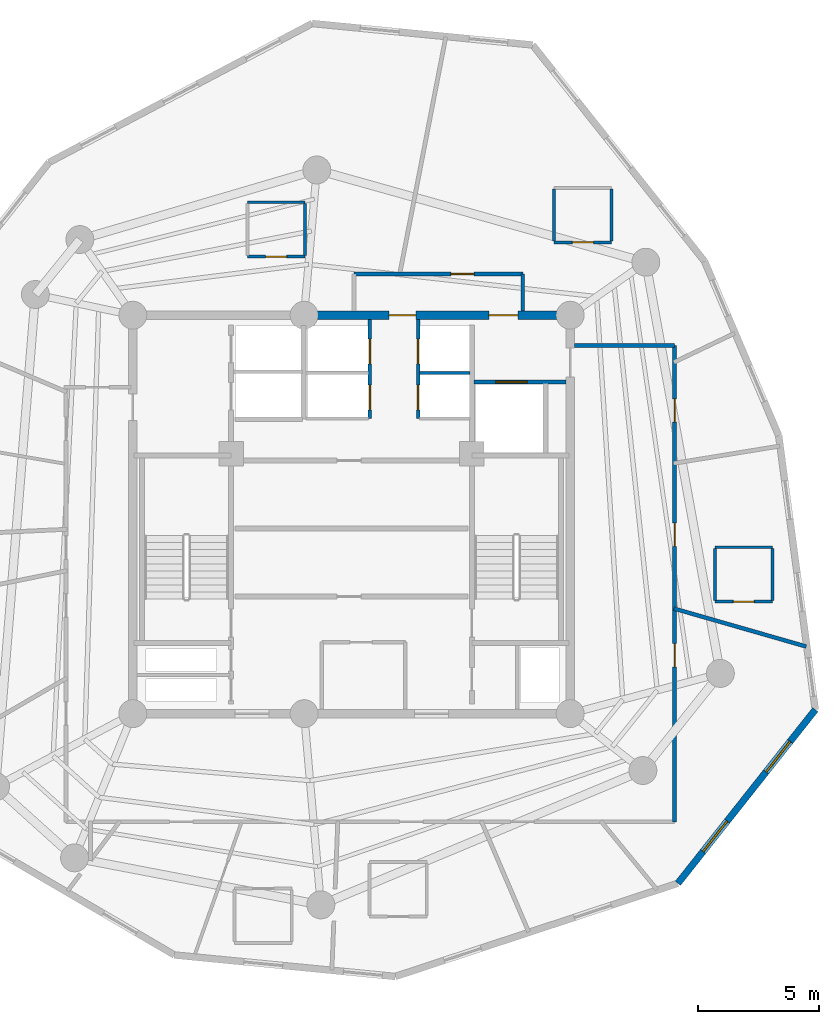
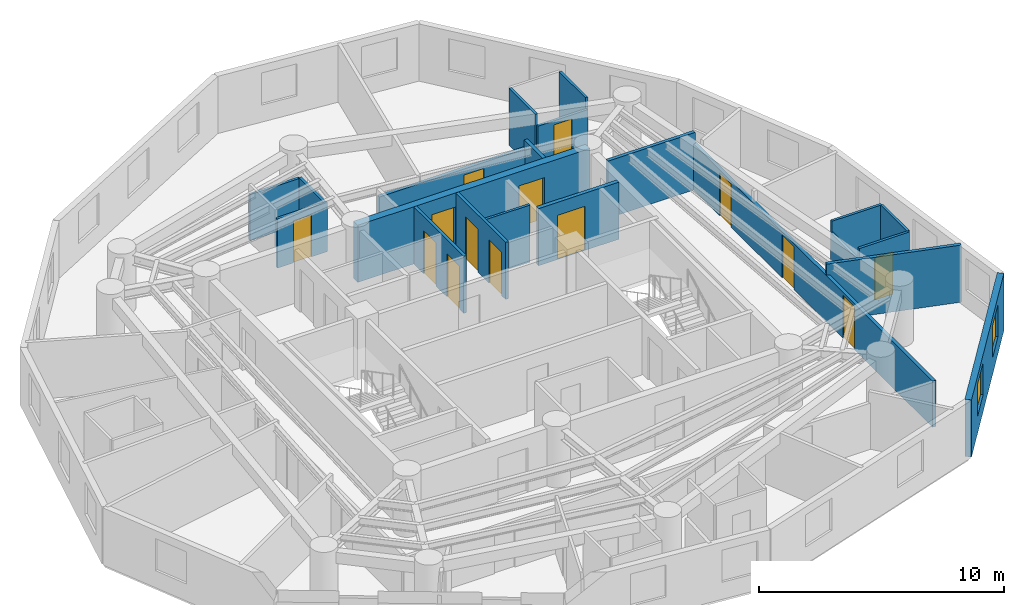
# One storey, part 5 of 7: 21 walls, 14 doors, 2 windows, 16 openings.
"""IFC4 building model written with IfcOpenShell, lengths in metres."""

import ifcopenshell
import ifcopenshell.guid

model = None  # the IFC model being written
_history = None  # IfcOwnerHistory: only IFC2X3 demands one
_inside = {}  # id of a spatial element -> (the spatial element, [elements in it])
_under = {}  # id of a project, library or spatial element -> (it, [spatial elements below it])
_declared = {}  # id of a project -> (the project, [libraries it declares])
_typed = {}  # id of a type object -> (the type object, [elements of that type])
_made_of = {}  # id of a material, layer set ... -> (it, [elements and type objects made of it])


def new_model(schema):
    """Start an empty IFC model of exactly this schema.

    Asked for "IFC4X3", IfcOpenShell would pick the latest addendum, in which some entities
    have other attributes; the version numbers below select the first issue.
    IFC2X3 requires an IfcOwnerHistory on every rooted entity: one is made here for all.
    """
    global model, _history
    if schema == "IFC4X3":
        model = ifcopenshell.file(schema_version=(4, 3, 0, 0))
    else:
        model = ifcopenshell.file(schema=schema)
    _inside.clear()
    _under.clear()
    _declared.clear()
    _typed.clear()
    _made_of.clear()
    _history = None
    if model.schema == "IFC2X3":
        org = make("IfcOrganization", Name="unknown")
        user = make(
            "IfcPersonAndOrganization",
            ThePerson=make("IfcPerson", FamilyName="unknown"),
            TheOrganization=org,
        )
        app = make(
            "IfcApplication",
            ApplicationDeveloper=org,
            Version="unknown",
            ApplicationFullName="unknown",
            ApplicationIdentifier="unknown",
        )
        _history = make(
            "IfcOwnerHistory",
            OwningUser=user,
            OwningApplication=app,
            ChangeAction="ADDED",
            CreationDate=0,
        )
    return model


def make(cls, **values):
    """One entity of the class cls with the attributes given. An attribute that is None is left unset."""
    return model.create_entity(
        cls, **{name: value for name, value in values.items() if value is not None}
    )


def rooted(cls, **values):
    """An entity with a GlobalId (a new one), such as an element, a storey or a relation."""
    return make(cls, GlobalId=ifcopenshell.guid.new(), OwnerHistory=_history, **values)


def si_unit(unit_type, name, prefix=None):
    """IfcSIUnit, for example si_unit("LENGTHUNIT", "METRE", prefix="MILLI")."""
    return make("IfcSIUnit", UnitType=unit_type, Prefix=prefix, Name=name)


def assignment(units):
    """IfcUnitAssignment: the units of a project."""
    return None if units is None else make("IfcUnitAssignment", Units=units)


def point(xyz):
    """IfcCartesianPoint."""
    return None if xyz is None else make("IfcCartesianPoint", Coordinates=xyz)


def direction(xyz):
    """IfcDirection."""
    return None if xyz is None else make("IfcDirection", DirectionRatios=xyz)


def frame(location, z_axis=None, x_axis=None):
    """IfcAxis2Placement3D, a coordinate frame: its origin and axes. An axis left out is left unset."""
    return make(
        "IfcAxis2Placement3D",
        Location=point(location),
        Axis=direction(z_axis),
        RefDirection=direction(x_axis),
    )


def frame_2d(location, x_axis=None):
    """IfcAxis2Placement2D, a coordinate frame in the plane: its origin and x axis."""
    return make(
        "IfcAxis2Placement2D", Location=point(location), RefDirection=direction(x_axis)
    )


def origin():
    """The frame at (0, 0, 0) with its axes left unset."""
    return frame((0.0, 0.0, 0.0))


def origin_with_axes():
    """The frame at (0, 0, 0) with the z axis (0, 0, 1) and the x axis (1, 0, 0) written out."""
    return frame((0.0, 0.0, 0.0), z_axis=(0.0, 0.0, 1.0), x_axis=(1.0, 0.0, 0.0))


def place(relative_to, where):
    """IfcLocalPlacement: puts the frame where relative to a parent placement (None: the world)."""
    return make(
        "IfcLocalPlacement", PlacementRelTo=relative_to, RelativePlacement=where
    )


def context(
    kind, dimensions, precision=None, world=None, true_north=None, identifier=None
):
    """IfcGeometricRepresentationContext, for example the 3D "Model" context."""
    return make(
        "IfcGeometricRepresentationContext",
        ContextIdentifier=identifier,
        ContextType=kind,
        CoordinateSpaceDimension=dimensions,
        Precision=precision,
        WorldCoordinateSystem=world,
        TrueNorth=true_north,
    )


def subcontext(parent, identifier, kind, view, scale=None):
    """IfcGeometricRepresentationSubContext, for example "Body" below "Model"."""
    return make(
        "IfcGeometricRepresentationSubContext",
        ContextIdentifier=identifier,
        ContextType=kind,
        ParentContext=parent,
        TargetScale=scale,
        TargetView=view,
    )


def project(units=None, contexts=None):
    """IfcProject with its units and contexts."""
    return rooted(
        "IfcProject",
        Name="project",
        RepresentationContexts=contexts,
        UnitsInContext=assignment(units),
    )


def spatial(cls, under=None, at=None, **own):
    """A site, building, storey or space (cls), placed at a placement, below another one or the project."""
    s = rooted(cls, ObjectPlacement=at, **own)
    if under is not None:
        _under.setdefault(under.id(), (under, []))[1].append(s)
    return s


def profile(cls, at=None, kind="AREA", **sizes):
    """A parametric profile (cls). Its sizes go by their IFC names, for example OverallWidth=200.0."""
    return make(cls, ProfileType=kind, Position=at, **sizes)


def rectangle(**sizes):
    """IfcRectangleProfileDef."""
    return profile("IfcRectangleProfileDef", **sizes)


def extrude(swept, where, along, depth):
    """IfcExtrudedAreaSolid: the profile swept, set in the frame where, extruded along a direction by depth."""
    return make(
        "IfcExtrudedAreaSolid",
        SweptArea=swept,
        Position=where,
        ExtrudedDirection=direction(along),
        Depth=depth,
    )


def shape(context_of_items, identifier, shape_type, items):
    """IfcShapeRepresentation: the items that make up one representation, for example the "Body"."""
    return make(
        "IfcShapeRepresentation",
        ContextOfItems=context_of_items,
        RepresentationIdentifier=identifier,
        RepresentationType=shape_type,
        Items=items,
    )


def source(mapping_origin, context_of_items, identifier, shape_type, items):
    """IfcRepresentationMap: a shape defined once, which mapped items show again and again."""
    return make(
        "IfcRepresentationMap",
        MappingOrigin=mapping_origin,
        MappedRepresentation=shape(context_of_items, identifier, shape_type, items),
    )


def transform(
    local_origin,
    x_axis=None,
    y_axis=None,
    z_axis=None,
    scale=None,
    scale2=None,
    scale3=None,
    uniform=True,
):
    """IfcCartesianTransformationOperator3D, or its non-uniform kind. x_axis, y_axis, z_axis: its Axis1, 2, 3."""
    if uniform:
        return make(
            "IfcCartesianTransformationOperator3D",
            Axis1=direction(x_axis),
            Axis2=direction(y_axis),
            LocalOrigin=point(local_origin),
            Scale=scale,
            Axis3=direction(z_axis),
        )
    return make(
        "IfcCartesianTransformationOperator3DnonUniform",
        Axis1=direction(x_axis),
        Axis2=direction(y_axis),
        LocalOrigin=point(local_origin),
        Scale=scale,
        Axis3=direction(z_axis),
        Scale2=scale2,
        Scale3=scale3,
    )


def mapped(mapping_source, mapping_target):
    """IfcMappedItem: shows the shape of a source again, moved by a transform."""
    return make(
        "IfcMappedItem", MappingSource=mapping_source, MappingTarget=mapping_target
    )


def material(Name=None, Category=None):
    """IfcMaterial."""
    return make("IfcMaterial", Name=Name, Category=Category)


def layer(
    of_material, thickness, ventilated=None, Name=None, Category=None, Priority=None
):
    """IfcMaterialLayer: one layer of a wall or slab, of a material (None: an air gap)."""
    return make(
        "IfcMaterialLayer",
        Material=of_material,
        LayerThickness=thickness,
        IsVentilated=ventilated,
        Name=Name,
        Category=Category,
        Priority=Priority,
    )


def layer_set(layers, Name=None):
    """IfcMaterialLayerSet."""
    return make("IfcMaterialLayerSet", MaterialLayers=layers, LayerSetName=Name)


def made_of(thing, what):
    """Note that an element or type object is made of a material, layer set ...; save() writes the relation."""
    if what is not None:
        _made_of.setdefault(what.id(), (what, []))[1].append(thing)
    return thing


def type_object(cls, material=None, **own):
    """A type object (cls), such as IfcWallType, which elements share."""
    return made_of(rooted(cls, **own), material)


def element(
    cls,
    number,
    at=None,
    inside=None,
    cuts=None,
    type_object=None,
    material=None,
    context=None,
    identifier="Body",
    shape_type=None,
    held_by="IfcProductDefinitionShape",
    body=None,
    shapes=None,
    **own,
):
    """One element of the class cls, such as IfcWall. Its Tag is "e" and its number.

    at: its placement. inside: the storey or other place that contains it. cuts: it is an
    opening in that element (IfcRelVoidsElement). A single representation is given by context,
    identifier, shape_type and body (its items); several are given by shapes. held_by: the class
    of the entity that holds the representations. save() writes the other relations.
    """
    e = rooted(cls, Tag="e%d" % number, ObjectPlacement=at, **own)
    if body is not None:
        shapes = [shape(context, identifier, shape_type, body)]
    if shapes is not None:
        e.Representation = make(held_by, Representations=shapes)
    if inside is not None:
        _inside.setdefault(inside.id(), (inside, []))[1].append(e)
    if cuts is not None:
        rooted(
            "IfcRelVoidsElement", RelatingBuildingElement=cuts, RelatedOpeningElement=e
        )
    if type_object is not None:
        _typed.setdefault(type_object.id(), (type_object, []))[1].append(e)
    return made_of(e, material)


def fill(opening, filler):
    """IfcRelFillsElement: the door or window that sits in an opening."""
    return rooted(
        "IfcRelFillsElement",
        RelatingOpeningElement=opening,
        RelatedBuildingElement=filler,
    )


def aggregate(whole, parts):
    """IfcRelAggregates: a whole, such as a stair, and the parts it consists of."""
    return rooted("IfcRelAggregates", RelatingObject=whole, RelatedObjects=parts)


def save(model, path):
    """Write the relations noted so far, then the file.

    IfcRelAggregates (storeys below a building ...), IfcRelContainedInSpatialStructure (elements
    in a storey), IfcRelDefinesByType, IfcRelAssociatesMaterial and IfcRelDeclares: one each for
    every whole, place, type object, material and project.
    """
    for whole, parts in _under.values():
        aggregate(whole, parts)
    for where, things in _inside.values():
        rooted(
            "IfcRelContainedInSpatialStructure",
            RelatedElements=things,
            RelatingStructure=where,
        )
    for kind, things in _typed.values():
        rooted("IfcRelDefinesByType", RelatedObjects=things, RelatingType=kind)
    for what, things in _made_of.values():
        rooted("IfcRelAssociatesMaterial", RelatedObjects=things, RelatingMaterial=what)
    for by, libraries in _declared.values():
        rooted("IfcRelDeclares", RelatingContext=by, RelatedDefinitions=libraries)
    model.write(path)


model = new_model("IFC4")

# Units and contexts
model_context = context("Model", 3, precision=1e-05, world=origin(), true_north=direction((0.0, 1.0)))
body_context = subcontext(model_context, "Body", "Model", "MODEL_VIEW")
ifc_project = project(units=[si_unit("LENGTHUNIT", "METRE"), si_unit("AREAUNIT", "SQUARE_METRE"), si_unit("VOLUMEUNIT", "CUBIC_METRE"), si_unit("PLANEANGLEUNIT", "RADIAN"), si_unit("MASSUNIT", "GRAM", prefix="KILO")], contexts=[model_context])

# Site, building, storey
site_placement = place(None, origin())
site = spatial("IfcSite", under=ifc_project, at=site_placement, CompositionType="ELEMENT")
building_placement = place(site_placement, origin())
building = spatial("IfcBuilding", under=site, at=building_placement, Name="Karkom Vertical University and Central Library", CompositionType="ELEMENT")
storey_placement = place(building_placement, frame((0.0, 0.0, 244.35009765625)))
storey = spatial("IfcBuildingStorey", under=building, at=storey_placement, Name="L72", CompositionType="ELEMENT", Elevation=244.35009765625)

# Wall, openings, windows
ifc_material_1 = material(Name="Brick-faced precast concrete C45/55", Category="masonry")
ifc_layer_1 = layer(ifc_material_1, 0.280029296875)
ifc_layer_set_1 = layer_set([ifc_layer_1], Name="Brick-faced precast concrete C45/55")
wall_type_1 = type_object("IfcWallType", Name="ENV-WL-BRK-280", PredefinedType="SOLIDWALL", material=ifc_layer_set_1)
wall_1_placement = place(storey_placement, frame((41.935302734375, 11.3154296875, 0.0), z_axis=(0.0, 0.0, 1.0), x_axis=(0.620565069768, 0.784154955468, 0.0)))
wall_1 = element("IfcWall", 1, at=wall_1_placement, inside=storey, type_object=wall_type_1, Name="Level 72 Brick-Faced Precast Facade Wall 05", PredefinedType="SOLIDWALL", context=body_context, shape_type="SweptSolid", body=[
    extrude(rectangle(XDim=9.116943359375, YDim=0.280029296875, at=frame_2d((4.55859375, 0.0))), origin(), (0.0, 0.0, 1.0), 2.849853515625),
])
opening_1_placement = place(wall_1_placement, frame((1.669189453125, 0.0, 0.85009765625)))
opening_1 = element("IfcOpeningElement", 2, at=opening_1_placement, cuts=wall_1, Name="Opening WN-10", PredefinedType="OPENING", context=body_context, shape_type="SweptSolid", body=[
    extrude(rectangle(XDim=1.60009765625, YDim=1.60009765625, at=frame_2d((0.800048828125, 0.800048828125))), frame((0.0, 0.14990234375, 0.0), z_axis=(0.0, -1.0, 0.0), x_axis=(1.0, 0.0, 0.0)), (0.0, 0.0, 1.0), 0.300048828125),
])
opening_2_placement = place(wall_1_placement, frame((5.847900390625, 0.0, 0.85009765625)))
opening_2 = element("IfcOpeningElement", 3, at=opening_2_placement, cuts=wall_1, Name="Opening WN-10", PredefinedType="OPENING", context=body_context, shape_type="SweptSolid", body=[
    extrude(rectangle(XDim=1.60009765625, YDim=1.60009765625, at=frame_2d((0.800048828125, 0.800048828125))), frame((0.0, 0.14990234375, 0.0), z_axis=(0.0, -1.0, 0.0), x_axis=(1.0, 0.0, 0.0)), (0.0, 0.0, 1.0), 0.300048828125),
])
ifc_material_2 = material(Name="Aluminium thermal-break frame with solar-control IGU", Category="aluminium")
window_type = type_object("IfcWindowType", Name="ENV-WIN-WN-10", PartitioningType="SINGLE_PANEL", PredefinedType="WINDOW", material=ifc_material_2)
shared_shape_1 = source(origin_with_axes(), body_context, "Body", "SweptSolid", [
    extrude(rectangle(XDim=1.60009765625, YDim=1.60009765625, at=frame_2d((0.800048828125, 0.800048828125))), frame((0.0, 0.030029296875, 0.0), z_axis=(0.0, -1.0, 0.0), x_axis=(1.0, 0.0, 0.0)), (0.0, 0.0, 1.0), 0.06005859375),
])
window_1_placement = place(opening_1_placement, origin())
window_1 = element("IfcWindow", 4, at=window_1_placement, inside=storey, type_object=window_type, Name="Level 72 Punched Window 5.1", OverallHeight=1.60009765625, OverallWidth=1.60009765625, PartitioningType="SINGLE_PANEL", PredefinedType="WINDOW", context=body_context, shape_type="MappedRepresentation", body=[
    mapped(shared_shape_1, transform((0.0, 0.0, 0.0), scale=1.0)),
])
fill(opening_1, window_1)
window_2_placement = place(opening_2_placement, origin())
window_2 = element("IfcWindow", 5, at=window_2_placement, inside=storey, type_object=window_type, Name="Level 72 Punched Window 5.2", OverallHeight=1.60009765625, OverallWidth=1.60009765625, PartitioningType="SINGLE_PANEL", PredefinedType="WINDOW", context=body_context, shape_type="MappedRepresentation", body=[
    mapped(shared_shape_1, transform((0.0, 0.0, 0.0), scale=1.0)),
])
fill(opening_2, window_2)

# Wall, openings, doors
ifc_material_3 = material(Name="Insulated metal-stud drywall 160mm", Category="gypsum")
ifc_layer_2 = layer(ifc_material_3, 0.159912109375)
ifc_layer_set_2 = layer_set([ifc_layer_2], Name="Insulated metal-stud drywall 160mm")
wall_type_2 = type_object("IfcWallType", Name="INT-WL-COR-160", PredefinedType="PARTITIONING", material=ifc_layer_set_2)
wall_2_placement = place(storey_placement, frame((41.800048828125, 33.449951171875, 0.0), z_axis=(0.0, 0.0, 1.0), x_axis=(0.0, -1.0, 0.0)))
wall_2 = element("IfcWall", 6, at=wall_2_placement, inside=storey, type_object=wall_type_2, Name="Level 72 Interior Partition Wall L72-CORW-CW-005", PredefinedType="PARTITIONING", context=body_context, shape_type="SweptSolid", body=[
    extrude(rectangle(XDim=19.599853515625, YDim=0.159912109375, at=frame_2d((9.7998046875, 0.0))), origin(), (0.0, 0.0, 1.0), 2.2998046875),
])
opening_3_placement = place(wall_2_placement, frame((7.30419921875, 0.0, 0.0)))
opening_3 = element("IfcOpeningElement", 7, at=opening_3_placement, cuts=wall_2, Name="Opening FD-RM2", PredefinedType="OPENING", context=body_context, shape_type="SweptSolid", body=[
    extrude(rectangle(XDim=0.9599609375, YDim=2.14990234375, at=frame_2d((0.47998046875, 1.074951171875))), frame((0.0, 0.08984375, 0.0), z_axis=(0.0, -1.0, 0.0), x_axis=(1.0, 0.0, 0.0)), (0.0, 0.0, 1.0), 0.179931640625),
])
opening_4_placement = place(wall_2_placement, frame((12.264892578125, 0.0, 0.0)))
opening_4 = element("IfcOpeningElement", 8, at=opening_4_placement, cuts=wall_2, Name="Opening FD-RM2", PredefinedType="OPENING", context=body_context, shape_type="SweptSolid", body=[
    extrude(rectangle(XDim=0.9599609375, YDim=2.14990234375, at=frame_2d((0.47998046875, 1.074951171875))), frame((0.0, 0.08984375, 0.0), z_axis=(0.0, -1.0, 0.0), x_axis=(1.0, 0.0, 0.0)), (0.0, 0.0, 1.0), 0.179931640625),
])
opening_5_placement = place(wall_2_placement, frame((2.19580078125, 0.0, 0.0)))
opening_5 = element("IfcOpeningElement", 9, at=opening_5_placement, cuts=wall_2, Name="Opening FD-RM2", PredefinedType="OPENING", context=body_context, shape_type="SweptSolid", body=[
    extrude(rectangle(XDim=0.9599609375, YDim=2.14990234375, at=frame_2d((0.47998046875, 1.074951171875))), frame((0.0, 0.08984375, 0.0), z_axis=(0.0, -1.0, 0.0), x_axis=(1.0, 0.0, 0.0)), (0.0, 0.0, 1.0), 0.179931640625),
])
ifc_material_4 = material(Name="Fire-rated oak veneer door", Category="wood")
door_type_1 = type_object("IfcDoorType", Name="INT-DR-FRM2", OperationType="NOTDEFINED", PredefinedType="DOOR", material=ifc_material_4)
shared_shape_2 = source(origin_with_axes(), body_context, "Body", "SweptSolid", [
    extrude(rectangle(XDim=0.9599609375, YDim=2.14990234375, at=frame_2d((0.47998046875, 1.074951171875))), frame((0.0, 0.02490234375, 0.0), z_axis=(0.0, -1.0, 0.0), x_axis=(1.0, 0.0, 0.0)), (0.0, 0.0, 1.0), 0.050048828125),
])
door_1_placement = place(opening_3_placement, origin())
door_1 = element("IfcDoor", 10, at=door_1_placement, inside=storey, type_object=door_type_1, Name="Level 72 Room Entry Door 414", OperationType="SINGLE_SWING_LEFT", OverallHeight=2.14990234375, OverallWidth=0.9599609375, PredefinedType="DOOR", context=body_context, shape_type="MappedRepresentation", body=[
    mapped(shared_shape_2, transform((0.0, 0.0, 0.0), scale=1.0)),
])
fill(opening_3, door_1)
door_2_placement = place(opening_4_placement, origin())
door_2 = element("IfcDoor", 11, at=door_2_placement, inside=storey, type_object=door_type_1, Name="Level 72 Room Entry Door 306", OperationType="SINGLE_SWING_LEFT", OverallHeight=2.14990234375, OverallWidth=0.9599609375, PredefinedType="DOOR", context=body_context, shape_type="MappedRepresentation", body=[
    mapped(shared_shape_2, transform((0.0, 0.0, 0.0), scale=1.0)),
])
fill(opening_4, door_2)
door_3_placement = place(opening_5_placement, origin())
door_3 = element("IfcDoor", 12, at=door_3_placement, inside=storey, type_object=door_type_1, Name="Level 72 Room Entry Door 308", OperationType="SINGLE_SWING_RIGHT", OverallHeight=2.14990234375, OverallWidth=0.9599609375, PredefinedType="DOOR", context=body_context, shape_type="MappedRepresentation", body=[
    mapped(shared_shape_2, transform((0.0, 0.0, 0.0), scale=1.0)),
])
fill(opening_5, door_3)

# Wall, opening, door
wall_3_placement = place(storey_placement, frame((28.60009765625, 36.39990234375, 0.0), z_axis=(0.0, 0.0, 1.0), x_axis=(1.0, 0.0, 0.0)))
wall_3 = element("IfcWall", 13, at=wall_3_placement, inside=storey, type_object=wall_type_2, Name="Level 72 Interior Partition Wall L72-CORW-CW-007", PredefinedType="PARTITIONING", context=body_context, shape_type="SweptSolid", body=[
    extrude(rectangle(XDim=6.949951171875, YDim=0.159912109375, at=frame_2d((3.47509765625, 0.0))), origin(), (0.0, 0.0, 1.0), 2.449951171875),
])
opening_6_placement = place(wall_3_placement, frame((3.990478515625, 0.0, 0.0)))
opening_6 = element("IfcOpeningElement", 14, at=opening_6_placement, cuts=wall_3, Name="Opening FD-RM2", PredefinedType="OPENING", context=body_context, shape_type="SweptSolid", body=[
    extrude(rectangle(XDim=0.9599609375, YDim=2.14990234375, at=frame_2d((0.47998046875, 1.074951171875))), frame((0.0, 0.08984375, 0.0), z_axis=(0.0, -1.0, 0.0), x_axis=(1.0, 0.0, 0.0)), (0.0, 0.0, 1.0), 0.179931640625),
])
door_4_placement = place(opening_6_placement, origin())
door_4 = element("IfcDoor", 15, at=door_4_placement, inside=storey, type_object=door_type_1, Name="Level 72 Room Entry Door 418", OperationType="SINGLE_SWING_LEFT", OverallHeight=2.14990234375, OverallWidth=0.9599609375, PredefinedType="DOOR", context=body_context, shape_type="MappedRepresentation", body=[
    mapped(shared_shape_2, transform((0.0, 0.0, 0.0), scale=1.0)),
])
fill(opening_6, door_4)

# Walls
wall_4_placement = place(storey_placement, frame((41.771240234375, 22.62646484375, 0.0), z_axis=(0.0, 0.0, 1.0), x_axis=(0.961148956517, -0.276030221872, 0.0)))
element("IfcWall", 16, at=wall_4_placement, inside=storey, type_object=wall_type_2, Name="Level 72 Interior Partition Wall L72-PW-011", PredefinedType="PARTITIONING", context=body_context, shape_type="SweptSolid", body=[
    extrude(rectangle(XDim=5.6640625, YDim=0.159912109375, at=frame_2d((2.83203125, 0.0))), origin(), (0.0, 0.0, 1.0), 2.849853515625),
])
wall_5_placement = place(storey_placement, frame((37.681884765625, 33.449951171875, 0.0), z_axis=(0.0, 0.0, 1.0), x_axis=(1.0, 0.0, 0.0)))
element("IfcWall", 17, at=wall_5_placement, inside=storey, type_object=wall_type_2, Name="Level 72 Interior Partition Wall L72-CORW-CW-004", PredefinedType="PARTITIONING", context=body_context, shape_type="SweptSolid", body=[
    extrude(rectangle(XDim=4.1181640625, YDim=0.159912109375, at=frame_2d((2.05908203125, 0.0))), origin(), (0.0, 0.0, 1.0), 2.849853515625),
])
wall_6_placement = place(storey_placement, frame((35.550048828125, 36.39990234375, 0.0), z_axis=(0.0, 0.0, 1.0), x_axis=(0.0, -1.0, 0.0)))
element("IfcWall", 18, at=wall_6_placement, inside=storey, type_object=wall_type_2, Name="Level 72 Interior Partition Wall L72-CORW-CW-008", PredefinedType="PARTITIONING", context=body_context, shape_type="SweptSolid", body=[
    extrude(rectangle(XDim=1.517822265625, YDim=0.159912109375, at=frame_2d((0.7587890625, 0.0))), origin(), (0.0, 0.0, 1.0), 2.849853515625),
])

# Wall, opening, door
ifc_material_5 = material(Name="Moisture-resistant drywall 120mm", Category="gypsum")
ifc_layer_3 = layer(ifc_material_5, 0.1201171875)
ifc_layer_set_3 = layer_set([ifc_layer_3], Name="Moisture-resistant drywall 120mm")
wall_type_3 = type_object("IfcWallType", Name="INT-WL-INT-120F", PredefinedType="PARTITIONING", material=ifc_layer_set_3)
wall_7_placement = place(storey_placement, frame((43.462890625, 22.908935546875, 0.0), z_axis=(0.0, 0.0, 1.0), x_axis=(1.0, 0.0, 0.0)))
wall_7 = element("IfcWall", 19, at=wall_7_placement, inside=storey, type_object=wall_type_3, Name="Level 72 Interior Partition Wall L72-ENS-47-S", PredefinedType="PARTITIONING", context=body_context, shape_type="SweptSolid", body=[
    extrude(rectangle(XDim=2.360107421875, YDim=0.1201171875, at=frame_2d((1.18017578125, 0.0))), origin(), (0.0, 0.0, 1.0), 2.849853515625),
])
opening_7_placement = place(wall_7_placement, frame((0.75, 0.0, 0.0)))
opening_7 = element("IfcOpeningElement", 20, at=opening_7_placement, cuts=wall_7, Name="Opening D-BATH", PredefinedType="OPENING", context=body_context, shape_type="SweptSolid", body=[
    extrude(rectangle(XDim=0.860107421875, YDim=2.10009765625, at=frame_2d((0.43017578125, 1.050048828125))), frame((0.0, 0.070068359375, 0.0), z_axis=(0.0, -1.0, 0.0), x_axis=(1.0, 0.0, 0.0)), (0.0, 0.0, 1.0), 0.14013671875),
])
ifc_material_6 = material(Name="Moisture-resistant oak door", Category="wood")
door_type_2 = type_object("IfcDoorType", Name="INT-DR-BATH", OperationType="NOTDEFINED", PredefinedType="DOOR", material=ifc_material_6)
shared_shape_3 = source(origin_with_axes(), body_context, "Body", "SweptSolid", [
    extrude(rectangle(XDim=0.860107421875, YDim=2.10009765625, at=frame_2d((0.43017578125, 1.050048828125))), frame((0.0, 0.02490234375, 0.0), z_axis=(0.0, -1.0, 0.0), x_axis=(1.0, 0.0, 0.0)), (0.0, 0.0, 1.0), 0.050048828125),
])
door_5_placement = place(opening_7_placement, origin())
door_5 = element("IfcDoor", 21, at=door_5_placement, inside=storey, type_object=door_type_2, Name="Level 72 En-Suite Bathroom Door 47", OperationType="SINGLE_SWING_RIGHT", OverallHeight=2.10009765625, OverallWidth=0.860107421875, PredefinedType="DOOR", context=body_context, shape_type="MappedRepresentation", body=[
    mapped(shared_shape_3, transform((0.0, 0.0, 0.0), scale=1.0)),
])
fill(opening_7, door_5)

# Wall
wall_8_placement = place(storey_placement, frame((45.822998046875, 25.14892578125, 0.0), z_axis=(0.0, 0.0, 1.0), x_axis=(-1.0, 0.0, 0.0)))
element("IfcWall", 22, at=wall_8_placement, inside=storey, type_object=wall_type_3, Name="Level 72 Interior Partition Wall L72-ENS-47-N", PredefinedType="PARTITIONING", context=body_context, shape_type="SweptSolid", body=[
    extrude(rectangle(XDim=2.360107421875, YDim=0.1201171875, at=frame_2d((1.18017578125, 0.0))), origin(), (0.0, 0.0, 1.0), 2.849853515625),
])

# Wall, opening, door
wall_9_placement = place(storey_placement, frame((36.841064453125, 37.698974609375, 0.0), z_axis=(0.0, 0.0, 1.0), x_axis=(1.0, 0.0, 0.0)))
wall_9 = element("IfcWall", 23, at=wall_9_placement, inside=storey, type_object=wall_type_3, Name="Level 72 Interior Partition Wall L72-ENS-49-S", PredefinedType="PARTITIONING", context=body_context, shape_type="SweptSolid", body=[
    extrude(rectangle(XDim=2.35986328125, YDim=0.1201171875, at=frame_2d((1.179931640625, 0.0))), origin(), (0.0, 0.0, 1.0), 2.2998046875),
])
opening_8_placement = place(wall_9_placement, frame((0.75, 0.0, 0.0)))
opening_8 = element("IfcOpeningElement", 24, at=opening_8_placement, cuts=wall_9, Name="Opening D-BATH", PredefinedType="OPENING", context=body_context, shape_type="SweptSolid", body=[
    extrude(rectangle(XDim=0.860107421875, YDim=2.10009765625, at=frame_2d((0.43017578125, 1.050048828125))), frame((0.0, 0.070068359375, 0.0), z_axis=(0.0, -1.0, 0.0), x_axis=(1.0, 0.0, 0.0)), (0.0, 0.0, 1.0), 0.14013671875),
])
door_6_placement = place(opening_8_placement, origin())
door_6 = element("IfcDoor", 25, at=door_6_placement, inside=storey, type_object=door_type_2, Name="Level 72 En-Suite Bathroom Door 49", OperationType="SINGLE_SWING_RIGHT", OverallHeight=2.10009765625, OverallWidth=0.860107421875, PredefinedType="DOOR", context=body_context, shape_type="MappedRepresentation", body=[
    mapped(shared_shape_3, transform((0.0, 0.0, 0.0), scale=1.0)),
])
fill(opening_8, door_6)

wall_10_placement = place(storey_placement, frame((24.220947265625, 37.10791015625, 0.0), z_axis=(0.0, 0.0, 1.0), x_axis=(1.0, 0.0, 0.0)))
wall_10 = element("IfcWall", 26, at=wall_10_placement, inside=storey, type_object=wall_type_3, Name="Level 72 Interior Partition Wall L72-ENS-50-S", PredefinedType="PARTITIONING", context=body_context, shape_type="SweptSolid", body=[
    extrude(rectangle(XDim=2.360107421875, YDim=0.1201171875, at=frame_2d((1.18017578125, 0.0))), origin(), (0.0, 0.0, 1.0), 2.449951171875),
])
opening_9_placement = place(wall_10_placement, frame((0.75, 0.0, 0.0)))
opening_9 = element("IfcOpeningElement", 27, at=opening_9_placement, cuts=wall_10, Name="Opening D-BATH", PredefinedType="OPENING", context=body_context, shape_type="SweptSolid", body=[
    extrude(rectangle(XDim=0.860107421875, YDim=2.10009765625, at=frame_2d((0.43017578125, 1.050048828125))), frame((0.0, 0.070068359375, 0.0), z_axis=(0.0, -1.0, 0.0), x_axis=(1.0, 0.0, 0.0)), (0.0, 0.0, 1.0), 0.14013671875),
])
door_7_placement = place(opening_9_placement, origin())
door_7 = element("IfcDoor", 28, at=door_7_placement, inside=storey, type_object=door_type_2, Name="Level 72 En-Suite Bathroom Door 50", OperationType="SINGLE_SWING_RIGHT", OverallHeight=2.10009765625, OverallWidth=0.860107421875, PredefinedType="DOOR", context=body_context, shape_type="MappedRepresentation", body=[
    mapped(shared_shape_3, transform((0.0, 0.0, 0.0), scale=1.0)),
])
fill(opening_9, door_7)

# Walls
wall_11_placement = place(storey_placement, frame((26.5810546875, 39.347900390625, 0.0), z_axis=(0.0, 0.0, 1.0), x_axis=(-1.0, 0.0, 0.0)))
element("IfcWall", 29, at=wall_11_placement, inside=storey, type_object=wall_type_3, Name="Level 72 Interior Partition Wall L72-ENS-50-N", PredefinedType="PARTITIONING", context=body_context, shape_type="SweptSolid", body=[
    extrude(rectangle(XDim=2.360107421875, YDim=0.1201171875, at=frame_2d((1.18017578125, 0.0))), origin(), (0.0, 0.0, 1.0), 2.2998046875),
])
wall_12_placement = place(storey_placement, frame((45.822998046875, 22.958984375, 0.0), z_axis=(0.0, 0.0, 1.0), x_axis=(0.0, 1.0, 0.0)))
element("IfcWall", 30, at=wall_12_placement, inside=storey, type_object=wall_type_3, Name="Level 72 Interior Partition Wall L72-ENS-47-E", PredefinedType="PARTITIONING", context=body_context, shape_type="SweptSolid", body=[
    extrude(rectangle(XDim=2.14013671875, YDim=0.1201171875, at=frame_2d((1.070068359375, 0.0))), origin(), (0.0, 0.0, 1.0), 2.849853515625),
])
wall_13_placement = place(storey_placement, frame((43.462890625, 25.09912109375, 0.0), z_axis=(0.0, 0.0, 1.0), x_axis=(0.0, -1.0, 0.0)))
element("IfcWall", 31, at=wall_13_placement, inside=storey, type_object=wall_type_3, Name="Level 72 Interior Partition Wall L72-ENS-47-W", PredefinedType="PARTITIONING", context=body_context, shape_type="SweptSolid", body=[
    extrude(rectangle(XDim=2.14013671875, YDim=0.1201171875, at=frame_2d((1.070068359375, 0.0))), origin(), (0.0, 0.0, 1.0), 2.2998046875),
])
for number, where, z_axis, x_axis, name in (
    (32, (39.200927734375, 37.7490234375, 0.0), (0.0, 0.0, 1.0), (0.0, 1.0, 0.0), "Level 72 Interior Partition Wall L72-ENS-49-E"),
    (33, (36.841064453125, 39.888916015625, 0.0), (0.0, 0.0, 1.0), (0.0, -1.0, 0.0), "Level 72 Interior Partition Wall L72-ENS-49-W"),
):
    element("IfcWall", number, at=place(storey_placement, frame(where, z_axis=z_axis, x_axis=x_axis)), inside=storey, type_object=wall_type_3, Name=name, PredefinedType="PARTITIONING", context=body_context, shape_type="SweptSolid", body=[
        extrude(rectangle(XDim=2.139892578125, YDim=0.1201171875, at=frame_2d((1.06982421875, 0.0))), origin(), (0.0, 0.0, 1.0), 2.849853515625),
    ])
wall_14_placement = place(storey_placement, frame((26.5810546875, 37.157958984375, 0.0), z_axis=(0.0, 0.0, 1.0), x_axis=(0.0, 1.0, 0.0)))
element("IfcWall", 34, at=wall_14_placement, inside=storey, type_object=wall_type_3, Name="Level 72 Interior Partition Wall L72-ENS-50-E", PredefinedType="PARTITIONING", context=body_context, shape_type="SweptSolid", body=[
    extrude(rectangle(XDim=2.14013671875, YDim=0.1201171875, at=frame_2d((1.070068359375, 0.0))), origin(), (0.0, 0.0, 1.0), 2.349853515625),
])
ifc_layer_4 = layer(ifc_material_5, 0.1201171875)
ifc_layer_set_4 = layer_set([ifc_layer_4], Name="Moisture-resistant drywall 120mm")
wall_type_4 = type_object("IfcWallType", Name="INT-WL-INT-120H", PredefinedType="PARTITIONING", material=ifc_layer_set_4)
wall_15_placement = place(storey_placement, frame((31.300048828125, 32.320068359375, 0.0), z_axis=(0.0, 0.0, 1.0), x_axis=(1.0, 0.0, 0.0)))
element("IfcWall", 35, at=wall_15_placement, inside=storey, type_object=wall_type_4, Name="Level 72 Interior Partition Wall L72-CW-PH-ME", PredefinedType="PARTITIONING", context=body_context, shape_type="SweptSolid", body=[
    extrude(rectangle(XDim=2.074951171875, YDim=0.1201171875, at=frame_2d((1.03759765625, 0.0))), origin(), (0.0, 0.0, 1.0), 2.849853515625),
])

# Wall, openings, doors
ifc_material_7 = material(Name="Metal-stud gypsum partition 140mm", Category="gypsum")
ifc_layer_5 = layer(ifc_material_7, 0.139892578125)
ifc_layer_set_5 = layer_set([ifc_layer_5], Name="Metal-stud gypsum partition 140mm")
wall_type_5 = type_object("IfcWallType", Name="INT-WL-SUB-140H", PredefinedType="PARTITIONING", material=ifc_layer_set_5)
wall_16_placement = place(storey_placement, frame((29.260009765625, 30.449951171875, 0.0), z_axis=(0.0, 0.0, 1.0), x_axis=(0.0, 1.0, 0.0)))
wall_16 = element("IfcWall", 36, at=wall_16_placement, inside=storey, type_object=wall_type_5, Name="Level 72 Interior Partition Wall L72-CW-PH-W", PredefinedType="PARTITIONING", context=body_context, shape_type="SweptSolid", body=[
    extrude(rectangle(XDim=4.068115234375, YDim=0.139892578125, at=frame_2d((2.0341796875, 0.0))), origin(), (0.0, 0.0, 1.0), 2.849853515625),
])
opening_10_placement = place(wall_16_placement, frame((0.35009765625, 0.0, 0.0)))
opening_10 = element("IfcOpeningElement", 37, at=opening_10_placement, cuts=wall_16, Name="Opening LD-PH", PredefinedType="OPENING", context=body_context, shape_type="SweptSolid", body=[
    extrude(rectangle(XDim=1.02001953125, YDim=2.14990234375, at=frame_2d((0.510009765625, 1.074951171875))), frame((0.0, 0.080078125, 0.0), z_axis=(0.0, -1.0, 0.0), x_axis=(1.0, 0.0, 0.0)), (0.0, 0.0, 1.0), 0.159912109375),
])
opening_11_placement = place(wall_16_placement, frame((2.25, 0.0, 0.0)))
opening_11 = element("IfcOpeningElement", 38, at=opening_11_placement, cuts=wall_16, Name="Opening LD-PH", PredefinedType="OPENING", context=body_context, shape_type="SweptSolid", body=[
    extrude(rectangle(XDim=1.02001953125, YDim=2.14990234375, at=frame_2d((0.510009765625, 1.074951171875))), frame((0.0, 0.080078125, 0.0), z_axis=(0.0, -1.0, 0.0), x_axis=(1.0, 0.0, 0.0)), (0.0, 0.0, 1.0), 0.159912109375),
])
ifc_material_8 = material(Name="Brushed stainless-steel landing door", Category="steel")
door_type_3 = type_object("IfcDoorType", Name="INT-DR-LD-PH", OperationType="SLIDING_TO_LEFT", PredefinedType="DOOR", material=ifc_material_8)
shared_shape_4 = source(origin_with_axes(), body_context, "Body", "SweptSolid", [
    extrude(rectangle(XDim=1.02001953125, YDim=2.14990234375, at=frame_2d((0.510009765625, 1.074951171875))), frame((0.0, 0.02490234375, 0.0), z_axis=(0.0, -1.0, 0.0), x_axis=(1.0, 0.0, 0.0)), (0.0, 0.0, 1.0), 0.050048828125),
])
door_8_placement = place(opening_10_placement, origin())
door_8 = element("IfcDoor", 39, at=door_8_placement, inside=storey, type_object=door_type_3, Name="Level 72 Lift PH-1 Landing Door", OperationType="SLIDING_TO_LEFT", OverallHeight=2.14990234375, OverallWidth=1.02001953125, PredefinedType="DOOR", context=body_context, shape_type="MappedRepresentation", body=[
    mapped(shared_shape_4, transform((0.0, 0.0, 0.0), scale=1.0)),
])
fill(opening_10, door_8)
door_9_placement = place(opening_11_placement, origin())
door_9 = element("IfcDoor", 40, at=door_9_placement, inside=storey, type_object=door_type_3, Name="Level 72 Lift PH-2 Landing Door", OperationType="SLIDING_TO_LEFT", OverallHeight=2.14990234375, OverallWidth=1.02001953125, PredefinedType="DOOR", context=body_context, shape_type="MappedRepresentation", body=[
    mapped(shared_shape_4, transform((0.0, 0.0, 0.0), scale=1.0)),
])
fill(opening_11, door_9)

wall_17_placement = place(storey_placement, frame((31.239990234375, 30.449951171875, 0.0), z_axis=(0.0, 0.0, 1.0), x_axis=(0.0, 1.0, 0.0)))
wall_17 = element("IfcWall", 41, at=wall_17_placement, inside=storey, type_object=wall_type_5, Name="Level 72 Interior Partition Wall L72-CW-PH-E", PredefinedType="PARTITIONING", context=body_context, shape_type="SweptSolid", body=[
    extrude(rectangle(XDim=4.068115234375, YDim=0.139892578125, at=frame_2d((2.0341796875, 0.0))), origin(), (0.0, 0.0, 1.0), 2.849853515625),
])
opening_12_placement = place(wall_17_placement, frame((0.35009765625, 0.0, 0.0)))
opening_12 = element("IfcOpeningElement", 42, at=opening_12_placement, cuts=wall_17, Name="Opening LD-PH", PredefinedType="OPENING", context=body_context, shape_type="SweptSolid", body=[
    extrude(rectangle(XDim=1.02001953125, YDim=2.14990234375, at=frame_2d((0.510009765625, 1.074951171875))), frame((0.0, 0.080078125, 0.0), z_axis=(0.0, -1.0, 0.0), x_axis=(1.0, 0.0, 0.0)), (0.0, 0.0, 1.0), 0.159912109375),
])
opening_13_placement = place(wall_17_placement, frame((2.25, 0.0, 0.0)))
opening_13 = element("IfcOpeningElement", 43, at=opening_13_placement, cuts=wall_17, Name="Opening LD-PH", PredefinedType="OPENING", context=body_context, shape_type="SweptSolid", body=[
    extrude(rectangle(XDim=1.02001953125, YDim=2.14990234375, at=frame_2d((0.510009765625, 1.074951171875))), frame((0.0, 0.080078125, 0.0), z_axis=(0.0, -1.0, 0.0), x_axis=(1.0, 0.0, 0.0)), (0.0, 0.0, 1.0), 0.159912109375),
])
door_10_placement = place(opening_12_placement, origin())
door_10 = element("IfcDoor", 44, at=door_10_placement, inside=storey, type_object=door_type_3, Name="Level 72 Lift PH-3 Landing Door", OperationType="SLIDING_TO_LEFT", OverallHeight=2.14990234375, OverallWidth=1.02001953125, PredefinedType="DOOR", context=body_context, shape_type="MappedRepresentation", body=[
    mapped(shared_shape_4, transform((0.0, 0.0, 0.0), scale=1.0)),
])
fill(opening_12, door_10)
door_11_placement = place(opening_13_placement, origin())
door_11 = element("IfcDoor", 45, at=door_11_placement, inside=storey, type_object=door_type_3, Name="Level 72 Lift PH-4 Landing Door", OperationType="SLIDING_TO_LEFT", OverallHeight=2.14990234375, OverallWidth=1.02001953125, PredefinedType="DOOR", context=body_context, shape_type="MappedRepresentation", body=[
    mapped(shared_shape_4, transform((0.0, 0.0, 0.0), scale=1.0)),
])
fill(opening_13, door_11)

# Wall, opening, door
ifc_material_9 = material(Name="Twin-stud acoustic drywall 180mm", Category="gypsum")
ifc_layer_6 = layer(ifc_material_9, 0.179931640625)
ifc_layer_set_6 = layer_set([ifc_layer_6], Name="Twin-stud acoustic drywall 180mm")
wall_type_6 = type_object("IfcWallType", Name="INT-WL-TEN-180F", PredefinedType="PARTITIONING", material=ifc_layer_set_6)
wall_18_placement = place(storey_placement, frame((33.534912109375, 31.949951171875, 0.0), z_axis=(0.0, 0.0, 1.0), x_axis=(1.0, 0.0, 0.0)))
wall_18 = element("IfcWall", 46, at=wall_18_placement, inside=storey, type_object=wall_type_6, Name="Level 72 Interior Partition Wall L72-CW-SVL-N", PredefinedType="PARTITIONING", context=body_context, shape_type="SweptSolid", body=[
    extrude(rectangle(XDim=3.783935546875, YDim=0.179931640625, at=frame_2d((1.89208984375, 0.0))), origin(), (0.0, 0.0, 1.0), 2.849853515625),
])
opening_14_placement = place(wall_18_placement, frame((0.89990234375, 0.0, 0.0)))
opening_14 = element("IfcOpeningElement", 47, at=opening_14_placement, cuts=wall_18, Name="Opening LD-SV1", PredefinedType="OPENING", context=body_context, shape_type="SweptSolid", body=[
    extrude(rectangle(XDim=1.300048828125, YDim=2.199951171875, at=frame_2d((0.64990234375, 1.10009765625))), frame((0.0, 0.10009765625, 0.0), z_axis=(0.0, -1.0, 0.0), x_axis=(1.0, 0.0, 0.0)), (0.0, 0.0, 1.0), 0.199951171875),
])
door_type_4 = type_object("IfcDoorType", Name="INT-DR-LD-SV1", OperationType="SLIDING_TO_LEFT", PredefinedType="DOOR", material=ifc_material_8)
shared_shape_5 = source(origin_with_axes(), body_context, "Body", "SweptSolid", [
    extrude(rectangle(XDim=1.300048828125, YDim=2.199951171875, at=frame_2d((0.64990234375, 1.10009765625))), frame((0.0, 0.02490234375, 0.0), z_axis=(0.0, -1.0, 0.0), x_axis=(1.0, 0.0, 0.0)), (0.0, 0.0, 1.0), 0.050048828125),
])
door_12_placement = place(opening_14_placement, origin())
door_12 = element("IfcDoor", 48, at=door_12_placement, inside=storey, type_object=door_type_4, Name="Level 72 Service Lift Landing Door LD-SV1", OperationType="SLIDING_TO_LEFT", OverallHeight=2.199951171875, OverallWidth=1.300048828125, PredefinedType="DOOR", context=body_context, shape_type="MappedRepresentation", body=[
    mapped(shared_shape_5, transform((0.0, 0.0, 0.0), scale=1.0)),
])
fill(opening_14, door_12)

# Wall, openings, doors
ifc_material_10 = material(Name="Concrete C45/55", Category="concrete")
ifc_layer_7 = layer(ifc_material_10, 0.35009765625)
ifc_layer_set_7 = layer_set([ifc_layer_7], Name="Concrete C45/55")
wall_type_7 = type_object("IfcWallType", Name="STR-WL-CW-350", PredefinedType="SHEAR", material=ifc_layer_set_7)
wall_19_placement = place(storey_placement, frame((37.5, 34.699951171875, 0.0), z_axis=(0.0, 0.0, 1.0), x_axis=(-1.0, 0.0, 0.0)))
wall_19 = element("IfcWall", 49, at=wall_19_placement, inside=storey, type_object=wall_type_7, Name="Level 72 Central Core Shear Wall NW1", PredefinedType="SHEAR", context=body_context, shape_type="SweptSolid", body=[
    extrude(rectangle(XDim=10.949951171875, YDim=0.35009765625, at=frame_2d((5.47509765625, 0.0))), origin(), (0.0, 0.0, 1.0), 2.849853515625),
])
opening_15_placement = place(wall_19_placement, frame((2.14990234375, 0.0, 0.0)))
opening_15 = element("IfcOpeningElement", 50, at=opening_15_placement, cuts=wall_19, Name="Opening FD-SUB1", PredefinedType="OPENING", context=body_context, shape_type="SweptSolid", body=[
    extrude(rectangle(XDim=1.199951171875, YDim=2.14990234375, at=frame_2d((0.60009765625, 1.074951171875))), frame((0.0, 0.18505859375, 0.0), z_axis=(0.0, -1.0, 0.0), x_axis=(1.0, 0.0, 0.0)), (0.0, 0.0, 1.0), 0.3701171875),
])
opening_16_placement = place(wall_19_placement, frame((6.35009765625, 0.0, 0.0)))
opening_16 = element("IfcOpeningElement", 51, at=opening_16_placement, cuts=wall_19, Name="Opening FD-FFL", PredefinedType="OPENING", context=body_context, shape_type="SweptSolid", body=[
    extrude(rectangle(XDim=1.10009765625, YDim=2.14990234375, at=frame_2d((0.550048828125, 1.074951171875))), frame((0.0, 0.18505859375, 0.0), z_axis=(0.0, -1.0, 0.0), x_axis=(1.0, 0.0, 0.0)), (0.0, 0.0, 1.0), 0.3701171875),
])
ifc_material_11 = material(Name="Painted steel smoke-seal fire door", Category="steel")
door_type_5 = type_object("IfcDoorType", Name="INT-DR-FFL", OperationType="NOTDEFINED", PredefinedType="DOOR", material=ifc_material_11)
shared_shape_6 = source(origin_with_axes(), body_context, "Body", "SweptSolid", [
    extrude(rectangle(XDim=1.10009765625, YDim=2.14990234375, at=frame_2d((0.550048828125, 1.074951171875))), frame((0.0, 0.02490234375, 0.0), z_axis=(0.0, -1.0, 0.0), x_axis=(1.0, 0.0, 0.0)), (0.0, 0.0, 1.0), 0.050048828125),
])
door_13_placement = place(opening_16_placement, origin())
door_13 = element("IfcDoor", 52, at=door_13_placement, inside=storey, type_object=door_type_5, Name="Level 72 North Core Lobby Exit Door", OperationType="SINGLE_SWING_RIGHT", OverallHeight=2.14990234375, OverallWidth=1.10009765625, PredefinedType="DOOR", context=body_context, shape_type="MappedRepresentation", body=[
    mapped(shared_shape_6, transform((0.0, 0.0, 0.0), scale=1.0)),
])
fill(opening_16, door_13)
ifc_material_12 = material(Name="Painted steel fire door", Category="steel")
door_type_6 = type_object("IfcDoorType", Name="INT-DR-SUB1", OperationType="NOTDEFINED", PredefinedType="DOOR", material=ifc_material_12)
shared_shape_7 = source(origin_with_axes(), body_context, "Body", "SweptSolid", [
    extrude(rectangle(XDim=1.199951171875, YDim=2.14990234375, at=frame_2d((0.60009765625, 1.074951171875))), frame((0.0, 0.02490234375, 0.0), z_axis=(0.0, -1.0, 0.0), x_axis=(1.0, 0.0, 0.0)), (0.0, 0.0, 1.0), 0.050048828125),
])
door_14_placement = place(opening_15_placement, origin())
door_14 = element("IfcDoor", 53, at=door_14_placement, inside=storey, type_object=door_type_6, Name="Level 72 Service Lobby Fire Door", OperationType="SINGLE_SWING_LEFT", OverallHeight=2.14990234375, OverallWidth=1.199951171875, PredefinedType="DOOR", context=body_context, shape_type="MappedRepresentation", body=[
    mapped(shared_shape_7, transform((0.0, 0.0, 0.0), scale=1.0)),
])
fill(opening_15, door_14)

save(model, "model.ifc")
